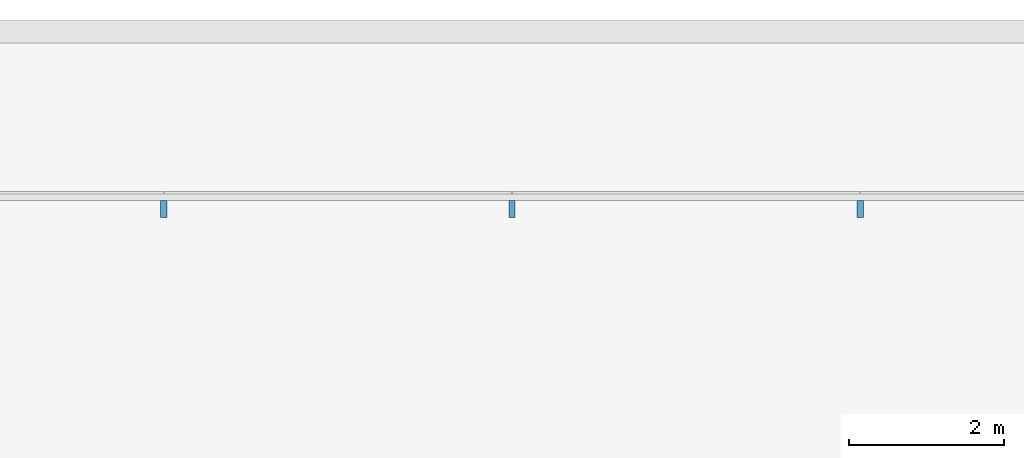
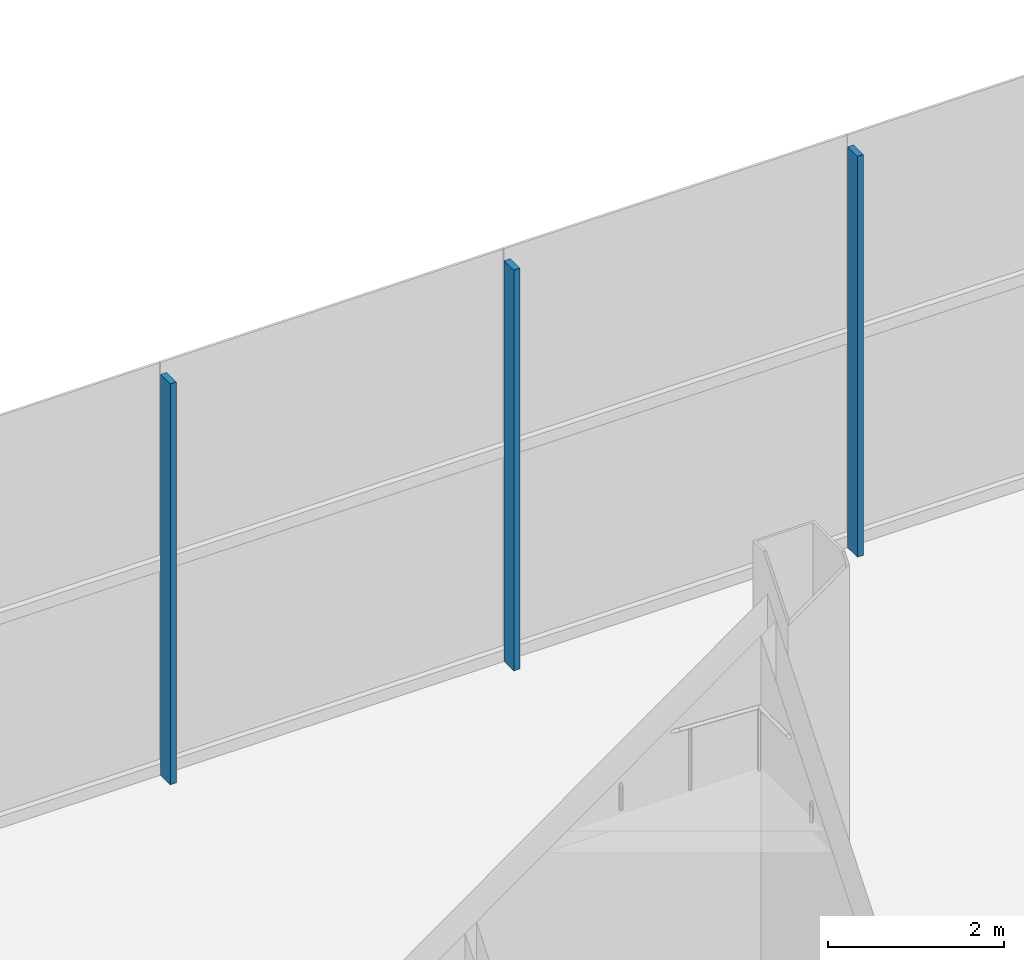
# One storey, part 15 of 38: 3 members, 1 element without a shape of its own.
"""IFC4 building model written with IfcOpenShell, lengths in metres."""

from ifc_helpers import new_model, si_unit, direction, frame, origin, origin_2d, place, context, subcontext, project, spatial, rectangle, extrude, material, layer, layer_set, material_profile, profile_set, type_object, element, aggregate, save


model = new_model("IFC4")

# Units and contexts
model_context = context("Model", 3, precision=1e-05, world=origin(), true_north=direction((0.0, 1.0)))
body_context = subcontext(model_context, "Body", "Model", "MODEL_VIEW")
ifc_project = project(units=[si_unit("LENGTHUNIT", "METRE"), si_unit("AREAUNIT", "SQUARE_METRE"), si_unit("VOLUMEUNIT", "CUBIC_METRE"), si_unit("PLANEANGLEUNIT", "RADIAN"), si_unit("MASSUNIT", "GRAM", prefix="KILO")], contexts=[model_context])

# Site, building, storey
site_placement = place(None, origin())
site = spatial("IfcSite", under=ifc_project, at=site_placement, CompositionType="ELEMENT")
building_placement = place(site_placement, origin())
building = spatial("IfcBuilding", under=site, at=building_placement, Name="Shamsa Quay Exchange Towers", CompositionType="ELEMENT")
storey_placement = place(building_placement, frame((0.0, 0.0, 12.5)))
storey = spatial("IfcBuildingStorey", under=building, at=storey_placement, Name="L02", CompositionType="ELEMENT", Elevation=12.5)

# Curtain wall, members
ifc_material = material(Name="Aluminium EN AW-6063 T6, black anodised", Category="aluminium")
ifc_layer = layer(ifc_material, 0.33203125)
ifc_layer_set = layer_set([ifc_layer], Name="CW-3 PODIUM SHOPFRONT GLAZING")
curtain_wall_type = type_object("IfcCurtainWallType", Name="CW-3 PODIUM SHOPFRONT GLAZING", PredefinedType="NOTDEFINED", material=ifc_layer_set)
curtain_wall_placement = place(storey_placement, origin())
curtain_wall = element("IfcCurtainWall", 1, at=curtain_wall_placement, inside=storey, type_object=curtain_wall_type, Name="CW3 PODIUM-L02-F01", PredefinedType="NOTDEFINED")
ifc_material_profile = material_profile(ifc_material, rectangle(XDim=0.219970703125, YDim=0.080078125, at=origin_2d()), Name="MU80x220")
ifc_profile_set = profile_set([ifc_material_profile], Name="Aluminium EN AW-6063 T6, black anodised")
member_type = type_object("IfcMemberType", Name="CW3 MULLION 80x220", PredefinedType="MULLION", material=ifc_profile_set)
member_1_placement = place(storey_placement, frame((58.5, 31.31005859375, 0.0), z_axis=(0.0, 0.0, 1.0), x_axis=(0.0, -1.0, 0.0)))
member_1 = element("IfcMember", 2, at=member_1_placement, type_object=member_type, Name="CW3 mullion", PredefinedType="MULLION", context=body_context, shape_type="SweptSolid", body=[
    extrude(rectangle(XDim=0.219970703125, YDim=0.080078125, at=origin_2d()), origin(), (0.0, 0.0, 1.0), 5.550048828125),
])
member_2_placement = place(storey_placement, frame((54.0, 31.31005859375, 0.0), z_axis=(0.0, 0.0, 1.0), x_axis=(0.0, -1.0, 0.0)))
member_2 = element("IfcMember", 3, at=member_2_placement, type_object=member_type, Name="CW3 mullion", PredefinedType="MULLION", context=body_context, shape_type="SweptSolid", body=[
    extrude(rectangle(XDim=0.219970703125, YDim=0.080078125, at=origin_2d()), origin(), (0.0, 0.0, 1.0), 5.550048828125),
])
member_3_placement = place(storey_placement, frame((49.5, 31.31005859375, 0.0), z_axis=(0.0, 0.0, 1.0), x_axis=(0.0, -1.0, 0.0)))
member_3 = element("IfcMember", 4, at=member_3_placement, type_object=member_type, Name="CW3 mullion", PredefinedType="MULLION", context=body_context, shape_type="SweptSolid", body=[
    extrude(rectangle(XDim=0.219970703125, YDim=0.080078125, at=origin_2d()), origin(), (0.0, 0.0, 1.0), 5.550048828125),
])
aggregate(curtain_wall, [member_1, member_2, member_3])

save(model, "model.ifc")
